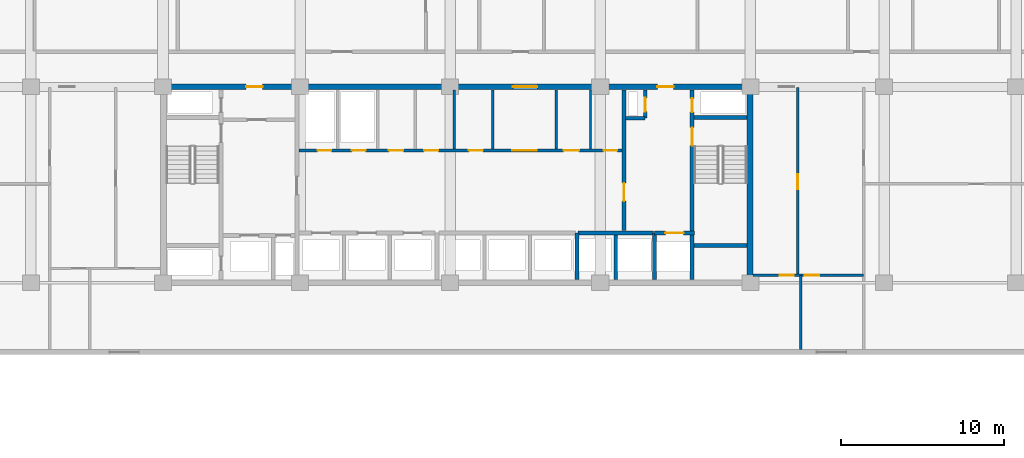
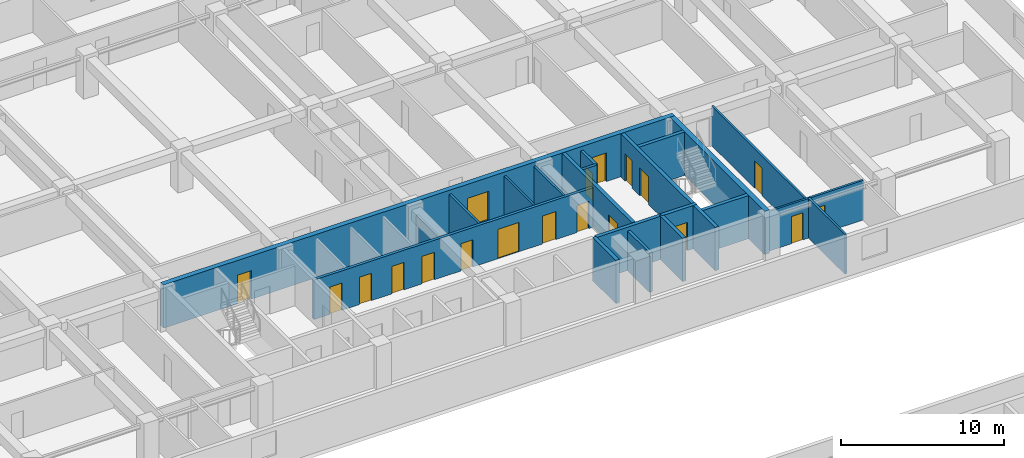
# One storey, part 12 of 23: 21 walls, 19 doors, 19 openings.
"""IFC4 building model written with IfcOpenShell, lengths in metres."""

from ifc_helpers import new_model, si_unit, direction, frame, frame_2d, origin, place, context, subcontext, project, spatial, rectangle, extrude, material, layer, layer_set, type_object, element, fill, save


model = new_model("IFC4")

# Units and contexts
model_context = context("Model", 3, precision=1e-05, world=origin(), true_north=direction((0.0, 1.0)))
body_context = subcontext(model_context, "Body", "Model", "MODEL_VIEW")
ifc_project = project(units=[si_unit("LENGTHUNIT", "METRE"), si_unit("AREAUNIT", "SQUARE_METRE"), si_unit("VOLUMEUNIT", "CUBIC_METRE"), si_unit("PLANEANGLEUNIT", "RADIAN"), si_unit("MASSUNIT", "GRAM", prefix="KILO")], contexts=[model_context])

# Site, building, storey
site_placement = place(None, origin())
site = spatial("IfcSite", under=ifc_project, at=site_placement, CompositionType="ELEMENT")
building_placement = place(site_placement, origin())
building = spatial("IfcBuilding", under=site, at=building_placement, Name="Korimba Cascade Residences", CompositionType="ELEMENT")
storey_placement = place(building_placement, frame((0.0, 0.0, 59.75)))
storey = spatial("IfcBuildingStorey", under=building, at=storey_placement, Name="L16", CompositionType="ELEMENT", Elevation=59.75)

# Wall
ifc_material_1 = material(Name="Concrete C65/80", Category="concrete")
ifc_layer_1 = layer(ifc_material_1, 0.35009765625)
ifc_layer_set_1 = layer_set([ifc_layer_1], Name="Concrete C65/80")
wall_type_1 = type_object("IfcWallType", Name="WAL-CORE-350", PredefinedType="SHEAR", material=ifc_layer_set_1)
wall_1_placement = place(storey_placement, frame((112.074951171875, 55.375, 0.0), z_axis=(0.0, 0.0, 1.0), x_axis=(0.0, 1.0, 0.0)))
element("IfcWall", 1, at=wall_1_placement, inside=storey, type_object=wall_type_1, Name="L16 Core Shear Wall CW-L16-T1-E", PredefinedType="SHEAR", context=body_context, shape_type="SweptSolid", body=[
    extrude(rectangle(XDim=11.64990234375, YDim=0.35009765625, at=frame_2d((5.824951171875, 0.0))), origin(), (0.0, 0.0, 1.0), 3.25),
])

# Wall, openings, doors
wall_2_placement = place(storey_placement, frame((75.949951171875, 67.199951171875, 0.0), z_axis=(0.0, 0.0, 1.0), x_axis=(1.0, 0.0, 0.0)))
wall_2 = element("IfcWall", 2, at=wall_2_placement, inside=storey, type_object=wall_type_1, Name="L16 Core Shear Wall CW-L16-T1-N", PredefinedType="SHEAR", context=body_context, shape_type="SweptSolid", body=[
    extrude(rectangle(XDim=36.300048828125, YDim=0.35009765625, at=frame_2d((18.14990234375, 0.0))), origin(), (0.0, 0.0, 1.0), 3.25),
])
opening_1_placement = place(wall_2_placement, frame((5.25, 0.0, 0.0)))
opening_1 = element("IfcOpeningElement", 3, at=opening_1_placement, cuts=wall_2, Name="Opening D-FD5", PredefinedType="OPENING", context=body_context, shape_type="SweptSolid", body=[
    extrude(rectangle(XDim=1.0, YDim=2.14990234375, at=frame_2d((0.5, 1.074951171875))), frame((0.0, 0.18505859375, 0.0), z_axis=(0.0, -1.0, 0.0), x_axis=(1.0, 0.0, 0.0)), (0.0, 0.0, 1.0), 0.3701171875),
])
opening_2_placement = place(wall_2_placement, frame((21.60009765625, 0.0, 0.0)))
opening_2 = element("IfcOpeningElement", 4, at=opening_2_placement, cuts=wall_2, Name="Opening D-FD8", PredefinedType="OPENING", context=body_context, shape_type="SweptSolid", body=[
    extrude(rectangle(XDim=1.5, YDim=2.199951171875, at=frame_2d((0.75, 1.10009765625))), frame((0.0, 0.18505859375, 0.0), z_axis=(0.0, -1.0, 0.0), x_axis=(1.0, 0.0, 0.0)), (0.0, 0.0, 1.0), 0.3701171875),
])
opening_3_placement = place(wall_2_placement, frame((30.449951171875, 0.0, 0.0)))
opening_3 = element("IfcOpeningElement", 5, at=opening_3_placement, cuts=wall_2, Name="Opening D-FD5", PredefinedType="OPENING", context=body_context, shape_type="SweptSolid", body=[
    extrude(rectangle(XDim=1.0, YDim=2.14990234375, at=frame_2d((0.5, 1.074951171875))), frame((0.0, 0.18505859375, 0.0), z_axis=(0.0, -1.0, 0.0), x_axis=(1.0, 0.0, 0.0)), (0.0, 0.0, 1.0), 0.3701171875),
])
ifc_material_2 = material(Name="Fire-Rated Acoustic Timber Vestibule Door", Category="wood")
door_type_1 = type_object("IfcDoorType", Name="DR-FD90-1000", OperationType="NOTDEFINED", PredefinedType="DOOR", material=ifc_material_2)
door_1_placement = place(opening_1_placement, origin())
door_1 = element("IfcDoor", 6, at=door_1_placement, inside=storey, type_object=door_type_1, Name="L16 T1 West Core Vestibule Fire Door", OperationType="SINGLE_SWING_LEFT", OverallHeight=2.14990234375, OverallWidth=1.0, PredefinedType="DOOR", context=body_context, shape_type="SweptSolid", body=[
    extrude(rectangle(XDim=1.0, YDim=2.14990234375, at=frame_2d((0.5, 1.074951171875))), frame((0.0, 0.02490234375, 0.0), z_axis=(0.0, -1.0, 0.0), x_axis=(1.0, 0.0, 0.0)), (0.0, 0.0, 1.0), 0.050048828125),
])
fill(opening_1, door_1)
door_2_placement = place(opening_3_placement, origin())
door_2 = element("IfcDoor", 7, at=door_2_placement, inside=storey, type_object=door_type_1, Name="L16 T1 East Firefighting Vestibule Fire Door", OperationType="SINGLE_SWING_RIGHT", OverallHeight=2.14990234375, OverallWidth=1.0, PredefinedType="DOOR", context=body_context, shape_type="SweptSolid", body=[
    extrude(rectangle(XDim=1.0, YDim=2.14990234375, at=frame_2d((0.5, 1.074951171875))), frame((0.0, 0.02490234375, 0.0), z_axis=(0.0, -1.0, 0.0), x_axis=(1.0, 0.0, 0.0)), (0.0, 0.0, 1.0), 0.050048828125),
])
fill(opening_3, door_2)
ifc_material_3 = material(Name="Fire-Rated Glazed Lift Lobby Double Door", Category="glass")
door_type_2 = type_object("IfcDoorType", Name="DR-FD90-1500", OperationType="NOTDEFINED", PredefinedType="DOOR", material=ifc_material_3)
door_3_placement = place(opening_2_placement, origin())
door_3 = element("IfcDoor", 8, at=door_3_placement, inside=storey, type_object=door_type_2, Name="L16 T1 Lift Lobby Fire Door", OperationType="DOUBLE_DOOR_SINGLE_SWING", OverallHeight=2.199951171875, OverallWidth=1.5, PredefinedType="DOOR", context=body_context, shape_type="SweptSolid", body=[
    extrude(rectangle(XDim=1.5, YDim=2.199951171875, at=frame_2d((0.75, 1.10009765625))), frame((0.0, 0.02490234375, 0.0), z_axis=(0.0, -1.0, 0.0), x_axis=(1.0, 0.0, 0.0)), (0.0, 0.0, 1.0), 0.050048828125),
])
fill(opening_2, door_3)

# Walls
ifc_material_4 = material(Name="Insulated Acoustic Stud Partition", Category="gypsum")
ifc_layer_2 = layer(ifc_material_4, 0.14990234375)
ifc_layer_set_2 = layer_set([ifc_layer_2], Name="Insulated Acoustic Stud Partition")
wall_type_2 = type_object("IfcWallType", Name="WAL-PART-150", PredefinedType="PARTITIONING", material=ifc_layer_set_2)
wall_3_placement = place(storey_placement, frame((93.949951171875, 63.39990234375, 0.0), z_axis=(0.0, 0.0, 1.0), x_axis=(0.0, 1.0, 0.0)))
element("IfcWall", 9, at=wall_3_placement, inside=storey, type_object=wall_type_2, Name="L16 Partition Wall CW-L16-T1-CA1W2", PredefinedType="PARTITIONING", context=body_context, shape_type="SweptSolid", body=[
    extrude(rectangle(XDim=3.60009765625, YDim=0.14990234375, at=frame_2d((1.800048828125, 0.0))), origin(), (0.0, 0.0, 1.0), 2.219970703125),
])
for number, where, z_axis, x_axis, name in (
    (10, (102.300048828125, 63.39990234375, 0.0), (0.0, 0.0, 1.0), (0.0, 1.0, 0.0), "L16 Partition Wall CW-L16-T1-CA1E1"),
    (11, (96.300048828125, 63.39990234375, 0.0), (0.0, 0.0, 1.0), (0.0, 1.0, 0.0), "L16 Partition Wall CW-L16-T1-THW"),
    (12, (100.199951171875, 63.39990234375, 0.0), (0.0, 0.0, 1.0), (0.0, 1.0, 0.0), "L16 Partition Wall CW-L16-T1-THE"),
):
    element("IfcWall", number, at=place(storey_placement, frame(where, z_axis=z_axis, x_axis=x_axis)), inside=storey, type_object=wall_type_2, Name=name, PredefinedType="PARTITIONING", context=body_context, shape_type="SweptSolid", body=[
        extrude(rectangle(XDim=3.60009765625, YDim=0.14990234375, at=frame_2d((1.800048828125, 0.0))), origin(), (0.0, 0.0, 1.0), 2.969970703125),
    ])

# Wall, opening, door
wall_4_placement = place(storey_placement, frame((115.0, 55.64990234375, 0.0), z_axis=(0.0, 0.0, 1.0), x_axis=(0.0, 1.0, 0.0)))
wall_4 = element("IfcWall", 13, at=wall_4_placement, inside=storey, type_object=wall_type_2, Name="L16 Partition Wall WAL-L16-T1-FE-VN", PredefinedType="PARTITIONING", context=body_context, shape_type="SweptSolid", body=[
    extrude(rectangle(XDim=11.5, YDim=0.14990234375, at=frame_2d((5.75, 0.0))), origin(), (0.0, 0.0, 1.0), 2.969970703125),
])
opening_4_placement = place(wall_4_placement, frame((5.2900390625, 0.0, 0.0)))
opening_4 = element("IfcOpeningElement", 14, at=opening_4_placement, cuts=wall_4, Name="Opening D-IN1", PredefinedType="OPENING", context=body_context, shape_type="SweptSolid", body=[
    extrude(rectangle(XDim=0.919921875, YDim=2.080078125, at=frame_2d((0.4599609375, 1.0400390625))), frame((0.0, 0.0849609375, 0.0), z_axis=(0.0, -1.0, 0.0), x_axis=(1.0, 0.0, 0.0)), (0.0, 0.0, 1.0), 0.169921875),
])
ifc_material_5 = material(Name="Acoustic Timber Living Door", Category="wood")
door_type_3 = type_object("IfcDoorType", Name="DR-INT-920", OperationType="NOTDEFINED", PredefinedType="DOOR", material=ifc_material_5)
door_4_placement = place(opening_4_placement, origin())
door_4 = element("IfcDoor", 15, at=door_4_placement, inside=storey, type_object=door_type_3, Name="L16-T1-FE Living Door", OperationType="SINGLE_SWING_RIGHT", OverallHeight=2.080078125, OverallWidth=0.919921875, PredefinedType="DOOR", context=body_context, shape_type="SweptSolid", body=[
    extrude(rectangle(XDim=0.919921875, YDim=2.080078125, at=frame_2d((0.4599609375, 1.0400390625))), frame((0.0, 0.02490234375, 0.0), z_axis=(0.0, -1.0, 0.0), x_axis=(1.0, 0.0, 0.0)), (0.0, 0.0, 1.0), 0.050048828125),
])
fill(opening_4, door_4)

# Wall
wall_5_placement = place(storey_placement, frame((115.199951171875, 51.10009765625, 0.0), z_axis=(0.0, 0.0, 1.0), x_axis=(0.0, 1.0, 0.0)))
element("IfcWall", 16, at=wall_5_placement, inside=storey, type_object=wall_type_2, Name="L16 Partition Wall WAL-L16-T1-FE-VS", PredefinedType="PARTITIONING", context=body_context, shape_type="SweptSolid", body=[
    extrude(rectangle(XDim=4.5498046875, YDim=0.14990234375, at=frame_2d((2.27490234375, 0.0))), origin(), (0.0, 0.0, 1.0), 2.969970703125),
])

# Wall, openings, doors
wall_6_placement = place(storey_placement, frame((112.27001953125, 55.64990234375, 0.0), z_axis=(0.0, 0.0, 1.0), x_axis=(1.0, 0.0, 0.0)))
wall_6 = element("IfcWall", 17, at=wall_6_placement, inside=storey, type_object=wall_type_2, Name="L16 Partition Wall WAL-L16-T1-FE-H", PredefinedType="PARTITIONING", context=body_context, shape_type="SweptSolid", body=[
    extrude(rectangle(XDim=6.760009765625, YDim=0.14990234375, at=frame_2d((3.3798828125, 0.0))), origin(), (0.0, 0.0, 1.0), 2.969970703125),
])
opening_5_placement = place(wall_6_placement, frame((1.6396484375, 0.0, 0.0)))
opening_5 = element("IfcOpeningElement", 18, at=opening_5_placement, cuts=wall_6, Name="Opening D-BT1", PredefinedType="OPENING", context=body_context, shape_type="SweptSolid", body=[
    extrude(rectangle(XDim=0.840087890625, YDim=2.0400390625, at=frame_2d((0.419921875, 1.02001953125))), frame((0.0, 0.0849609375, 0.0), z_axis=(0.0, -1.0, 0.0), x_axis=(1.0, 0.0, 0.0)), (0.0, 0.0, 1.0), 0.169921875),
])
opening_6_placement = place(wall_6_placement, frame((3.160400390625, 0.0, 0.0)))
opening_6 = element("IfcOpeningElement", 19, at=opening_6_placement, cuts=wall_6, Name="Opening D-IN2", PredefinedType="OPENING", context=body_context, shape_type="SweptSolid", body=[
    extrude(rectangle(XDim=0.8798828125, YDim=2.06005859375, at=frame_2d((0.43994140625, 1.030029296875))), frame((0.0, 0.0849609375, 0.0), z_axis=(0.0, -1.0, 0.0), x_axis=(1.0, 0.0, 0.0)), (0.0, 0.0, 1.0), 0.169921875),
])
ifc_material_6 = material(Name="Moisture-Resistant Bathroom Timber Door", Category="wood")
door_type_4 = type_object("IfcDoorType", Name="DR-INT-850", OperationType="NOTDEFINED", PredefinedType="DOOR", material=ifc_material_6)
door_5_placement = place(opening_5_placement, origin())
door_5 = element("IfcDoor", 20, at=door_5_placement, inside=storey, type_object=door_type_4, Name="L16-T1-FE Bathroom Door", OperationType="SINGLE_SWING_LEFT", OverallHeight=2.0400390625, OverallWidth=0.840087890625, PredefinedType="DOOR", context=body_context, shape_type="SweptSolid", body=[
    extrude(rectangle(XDim=0.840087890625, YDim=2.0400390625, at=frame_2d((0.419921875, 1.02001953125))), frame((0.0, 0.02490234375, 0.0), z_axis=(0.0, -1.0, 0.0), x_axis=(1.0, 0.0, 0.0)), (0.0, 0.0, 1.0), 0.050048828125),
])
fill(opening_5, door_5)
ifc_material_7 = material(Name="Acoustic Timber Bedroom Door", Category="wood")
door_type_5 = type_object("IfcDoorType", Name="DR-INT-880", OperationType="NOTDEFINED", PredefinedType="DOOR", material=ifc_material_7)
door_6_placement = place(opening_6_placement, origin())
door_6 = element("IfcDoor", 21, at=door_6_placement, inside=storey, type_object=door_type_5, Name="L16-T1-FE Bedroom Door", OperationType="SINGLE_SWING_RIGHT", OverallHeight=2.06005859375, OverallWidth=0.8798828125, PredefinedType="DOOR", context=body_context, shape_type="SweptSolid", body=[
    extrude(rectangle(XDim=0.8798828125, YDim=2.06005859375, at=frame_2d((0.43994140625, 1.030029296875))), frame((0.0, 0.02490234375, 0.0), z_axis=(0.0, -1.0, 0.0), x_axis=(1.0, 0.0, 0.0)), (0.0, 0.0, 1.0), 0.050048828125),
])
fill(opening_6, door_6)

# Wall
ifc_material_8 = material(Name="Concrete C40/50", Category="concrete")
ifc_layer_3 = layer(ifc_material_8, 0.199951171875)
ifc_layer_set_3 = layer_set([ifc_layer_3], Name="Concrete C40/50")
wall_type_3 = type_object("IfcWallType", Name="WAL-PART-200", PredefinedType="PARTITIONING", material=ifc_layer_set_3)
wall_7_placement = place(storey_placement, frame((103.85009765625, 55.39990234375, 0.0), z_axis=(0.0, 0.0, 1.0), x_axis=(0.0, 1.0, 0.0)))
element("IfcWall", 22, at=wall_7_placement, inside=storey, type_object=wall_type_3, Name="L16 Partition Wall CW-L16-T1-B3D1", PredefinedType="PARTITIONING", context=body_context, shape_type="SweptSolid", body=[
    extrude(rectangle(XDim=2.72021484375, YDim=0.199951171875, at=frame_2d((1.360107421875, 0.0))), origin(), (0.0, 0.0, 1.0), 2.969970703125),
])

# Wall, openings, doors
wall_8_placement = place(storey_placement, frame((84.419921875, 63.300048828125, 0.0), z_axis=(0.0, 0.0, 1.0), x_axis=(1.0, 0.0, 0.0)))
wall_8 = element("IfcWall", 23, at=wall_8_placement, inside=storey, type_object=wall_type_3, Name="L16 Partition Wall CW-L16-T1-SRVROW", PredefinedType="PARTITIONING", context=body_context, shape_type="SweptSolid", body=[
    extrude(rectangle(XDim=19.830078125, YDim=0.199951171875, at=frame_2d((9.9150390625, 0.0))), origin(), (0.0, 0.0, 1.0), 2.969970703125),
])
opening_7_placement = place(wall_8_placement, frame((1.14990234375, 0.0, 0.0)))
opening_7 = element("IfcOpeningElement", 24, at=opening_7_placement, cuts=wall_8, Name="Opening D-RS1", PredefinedType="OPENING", context=body_context, shape_type="SweptSolid", body=[
    extrude(rectangle(XDim=0.85009765625, YDim=2.050048828125, at=frame_2d((0.425048828125, 1.02490234375))), frame((0.0, 0.10986328125, 0.0), z_axis=(0.0, -1.0, 0.0), x_axis=(1.0, 0.0, 0.0)), (0.0, 0.0, 1.0), 0.219970703125),
])
opening_8_placement = place(wall_8_placement, frame((3.25, 0.0, 0.0)))
opening_8 = element("IfcOpeningElement", 25, at=opening_8_placement, cuts=wall_8, Name="Opening D-RS1", PredefinedType="OPENING", context=body_context, shape_type="SweptSolid", body=[
    extrude(rectangle(XDim=0.85009765625, YDim=2.050048828125, at=frame_2d((0.425048828125, 1.02490234375))), frame((0.0, 0.10986328125, 0.0), z_axis=(0.0, -1.0, 0.0), x_axis=(1.0, 0.0, 0.0)), (0.0, 0.0, 1.0), 0.219970703125),
])
opening_9_placement = place(wall_8_placement, frame((13.080078125, 0.0, 0.0)))
opening_9 = element("IfcOpeningElement", 26, at=opening_9_placement, cuts=wall_8, Name="Opening D-FD8", PredefinedType="OPENING", context=body_context, shape_type="SweptSolid", body=[
    extrude(rectangle(XDim=1.5, YDim=2.199951171875, at=frame_2d((0.75, 1.10009765625))), frame((0.0, 0.10986328125, 0.0), z_axis=(0.0, -1.0, 0.0), x_axis=(1.0, 0.0, 0.0)), (0.0, 0.0, 1.0), 0.219970703125),
])
opening_10_placement = place(wall_8_placement, frame((5.530029296875, 0.0, 0.0)))
opening_10 = element("IfcOpeningElement", 27, at=opening_10_placement, cuts=wall_8, Name="Opening D-IN2", PredefinedType="OPENING", context=body_context, shape_type="SweptSolid", body=[
    extrude(rectangle(XDim=0.8798828125, YDim=2.06005859375, at=frame_2d((0.43994140625, 1.030029296875))), frame((0.0, 0.10986328125, 0.0), z_axis=(0.0, -1.0, 0.0), x_axis=(1.0, 0.0, 0.0)), (0.0, 0.0, 1.0), 0.219970703125),
])
opening_11_placement = place(wall_8_placement, frame((7.679931640625, 0.0, 0.0)))
opening_11 = element("IfcOpeningElement", 28, at=opening_11_placement, cuts=wall_8, Name="Opening D-IN2", PredefinedType="OPENING", context=body_context, shape_type="SweptSolid", body=[
    extrude(rectangle(XDim=0.8798828125, YDim=2.06005859375, at=frame_2d((0.43994140625, 1.030029296875))), frame((0.0, 0.10986328125, 0.0), z_axis=(0.0, -1.0, 0.0), x_axis=(1.0, 0.0, 0.0)), (0.0, 0.0, 1.0), 0.219970703125),
])
opening_12_placement = place(wall_8_placement, frame((10.429931640625, 0.0, 0.0)))
opening_12 = element("IfcOpeningElement", 29, at=opening_12_placement, cuts=wall_8, Name="Opening D-RS1", PredefinedType="OPENING", context=body_context, shape_type="SweptSolid", body=[
    extrude(rectangle(XDim=0.85009765625, YDim=2.050048828125, at=frame_2d((0.425048828125, 1.02490234375))), frame((0.0, 0.10986328125, 0.0), z_axis=(0.0, -1.0, 0.0), x_axis=(1.0, 0.0, 0.0)), (0.0, 0.0, 1.0), 0.219970703125),
])
opening_13_placement = place(wall_8_placement, frame((16.22998046875, 0.0, 0.0)))
opening_13 = element("IfcOpeningElement", 30, at=opening_13_placement, cuts=wall_8, Name="Opening D-AC1", PredefinedType="OPENING", context=body_context, shape_type="SweptSolid", body=[
    extrude(rectangle(XDim=0.9599609375, YDim=2.10009765625, at=frame_2d((0.47998046875, 1.050048828125))), frame((0.0, 0.10986328125, 0.0), z_axis=(0.0, -1.0, 0.0), x_axis=(1.0, 0.0, 0.0)), (0.0, 0.0, 1.0), 0.219970703125),
])
opening_14_placement = place(wall_8_placement, frame((18.679931640625, 0.0, 0.0)))
opening_14 = element("IfcOpeningElement", 31, at=opening_14_placement, cuts=wall_8, Name="Opening D-BT1", PredefinedType="OPENING", context=body_context, shape_type="SweptSolid", body=[
    extrude(rectangle(XDim=0.840087890625, YDim=2.0400390625, at=frame_2d((0.419921875, 1.02001953125))), frame((0.0, 0.10986328125, 0.0), z_axis=(0.0, -1.0, 0.0), x_axis=(1.0, 0.0, 0.0)), (0.0, 0.0, 1.0), 0.219970703125),
])
ifc_material_9 = material(Name="Accessible Acoustic Timber WC Door", Category="wood")
door_type_6 = type_object("IfcDoorType", Name="DR-ACC-950", OperationType="NOTDEFINED", PredefinedType="DOOR", material=ifc_material_9)
door_7_placement = place(opening_13_placement, origin())
door_7 = element("IfcDoor", 32, at=door_7_placement, inside=storey, type_object=door_type_6, Name="L16 Accessible Staff WC Door", OperationType="SINGLE_SWING_RIGHT", OverallHeight=2.10009765625, OverallWidth=0.9599609375, PredefinedType="DOOR", context=body_context, shape_type="SweptSolid", body=[
    extrude(rectangle(XDim=0.9599609375, YDim=2.10009765625, at=frame_2d((0.47998046875, 1.050048828125))), frame((0.0, 0.02490234375, 0.0), z_axis=(0.0, -1.0, 0.0), x_axis=(1.0, 0.0, 0.0)), (0.0, 0.0, 1.0), 0.050048828125),
])
fill(opening_13, door_7)
ifc_material_10 = material(Name="Fire-Rated Steel Riser Access Door", Category="steel")
door_type_7 = type_object("IfcDoorType", Name="DR-FD60-850", OperationType="NOTDEFINED", PredefinedType="DOOR", material=ifc_material_10)
door_8_placement = place(opening_7_placement, origin())
door_8 = element("IfcDoor", 33, at=door_8_placement, inside=storey, type_object=door_type_7, Name="L16 Electrical Riser Door", OperationType="SINGLE_SWING_LEFT", OverallHeight=2.050048828125, OverallWidth=0.85009765625, PredefinedType="DOOR", context=body_context, shape_type="SweptSolid", body=[
    extrude(rectangle(XDim=0.85009765625, YDim=2.050048828125, at=frame_2d((0.425048828125, 1.02490234375))), frame((0.0, 0.02490234375, 0.0), z_axis=(0.0, -1.0, 0.0), x_axis=(1.0, 0.0, 0.0)), (0.0, 0.0, 1.0), 0.050048828125),
])
fill(opening_7, door_8)
door_9_placement = place(opening_8_placement, origin())
door_9 = element("IfcDoor", 34, at=door_9_placement, inside=storey, type_object=door_type_7, Name="L16 Plumbing Riser Door", OperationType="SINGLE_SWING_RIGHT", OverallHeight=2.050048828125, OverallWidth=0.85009765625, PredefinedType="DOOR", context=body_context, shape_type="SweptSolid", body=[
    extrude(rectangle(XDim=0.85009765625, YDim=2.050048828125, at=frame_2d((0.425048828125, 1.02490234375))), frame((0.0, 0.02490234375, 0.0), z_axis=(0.0, -1.0, 0.0), x_axis=(1.0, 0.0, 0.0)), (0.0, 0.0, 1.0), 0.050048828125),
])
fill(opening_8, door_9)
door_10_placement = place(opening_12_placement, origin())
door_10 = element("IfcDoor", 35, at=door_10_placement, inside=storey, type_object=door_type_7, Name="L16 IT Room Door", OperationType="SINGLE_SWING_LEFT", OverallHeight=2.050048828125, OverallWidth=0.85009765625, PredefinedType="DOOR", context=body_context, shape_type="SweptSolid", body=[
    extrude(rectangle(XDim=0.85009765625, YDim=2.050048828125, at=frame_2d((0.425048828125, 1.02490234375))), frame((0.0, 0.02490234375, 0.0), z_axis=(0.0, -1.0, 0.0), x_axis=(1.0, 0.0, 0.0)), (0.0, 0.0, 1.0), 0.050048828125),
])
fill(opening_12, door_10)
door_11_placement = place(opening_9_placement, origin())
door_11 = element("IfcDoor", 36, at=door_11_placement, inside=storey, type_object=door_type_2, Name="L16 Lift Lobby Foyer Archway Door", OperationType="DOUBLE_DOOR_SINGLE_SWING", OverallHeight=2.199951171875, OverallWidth=1.5, PredefinedType="DOOR", context=body_context, shape_type="SweptSolid", body=[
    extrude(rectangle(XDim=1.5, YDim=2.199951171875, at=frame_2d((0.75, 1.10009765625))), frame((0.0, 0.02490234375, 0.0), z_axis=(0.0, -1.0, 0.0), x_axis=(1.0, 0.0, 0.0)), (0.0, 0.0, 1.0), 0.050048828125),
])
fill(opening_9, door_11)
door_12_placement = place(opening_14_placement, origin())
door_12 = element("IfcDoor", 37, at=door_12_placement, inside=storey, type_object=door_type_4, Name="L16 Vending Room Door", OperationType="SINGLE_SWING_LEFT", OverallHeight=2.0400390625, OverallWidth=0.840087890625, PredefinedType="DOOR", context=body_context, shape_type="SweptSolid", body=[
    extrude(rectangle(XDim=0.840087890625, YDim=2.0400390625, at=frame_2d((0.419921875, 1.02001953125))), frame((0.0, 0.02490234375, 0.0), z_axis=(0.0, -1.0, 0.0), x_axis=(1.0, 0.0, 0.0)), (0.0, 0.0, 1.0), 0.050048828125),
])
fill(opening_14, door_12)
door_13_placement = place(opening_10_placement, origin())
door_13 = element("IfcDoor", 38, at=door_13_placement, inside=storey, type_object=door_type_5, Name="L16 Cleaners Door", OperationType="SINGLE_SWING_LEFT", OverallHeight=2.06005859375, OverallWidth=0.8798828125, PredefinedType="DOOR", context=body_context, shape_type="SweptSolid", body=[
    extrude(rectangle(XDim=0.8798828125, YDim=2.06005859375, at=frame_2d((0.43994140625, 1.030029296875))), frame((0.0, 0.02490234375, 0.0), z_axis=(0.0, -1.0, 0.0), x_axis=(1.0, 0.0, 0.0)), (0.0, 0.0, 1.0), 0.050048828125),
])
fill(opening_10, door_13)
door_14_placement = place(opening_11_placement, origin())
door_14 = element("IfcDoor", 39, at=door_14_placement, inside=storey, type_object=door_type_5, Name="L16 Pantry Door", OperationType="SINGLE_SWING_RIGHT", OverallHeight=2.06005859375, OverallWidth=0.8798828125, PredefinedType="DOOR", context=body_context, shape_type="SweptSolid", body=[
    extrude(rectangle(XDim=0.8798828125, YDim=2.06005859375, at=frame_2d((0.43994140625, 1.030029296875))), frame((0.0, 0.02490234375, 0.0), z_axis=(0.0, -1.0, 0.0), x_axis=(1.0, 0.0, 0.0)), (0.0, 0.0, 1.0), 0.050048828125),
])
fill(opening_11, door_14)

# Wall
wall_9_placement = place(storey_placement, frame((104.449951171875, 65.280029296875, 0.0), z_axis=(0.0, 0.0, 1.0), x_axis=(1.0, 0.0, 0.0)))
element("IfcWall", 40, at=wall_9_placement, inside=storey, type_object=wall_type_3, Name="L16 Partition Wall CW-L16-T1-HYDW2S", PredefinedType="PARTITIONING", context=body_context, shape_type="SweptSolid", body=[
    extrude(rectangle(XDim=1.199951171875, YDim=0.199951171875, at=frame_2d((0.60009765625, 0.0))), origin(), (0.0, 0.0, 1.0), 2.969970703125),
])

# Wall, opening, door
wall_10_placement = place(storey_placement, frame((105.64990234375, 65.280029296875, 0.0), z_axis=(0.0, 0.0, 1.0), x_axis=(0.0, 1.0, 0.0)))
wall_10 = element("IfcWall", 41, at=wall_10_placement, inside=storey, type_object=wall_type_3, Name="L16 Partition Wall CW-L16-T1-HYDW2E", PredefinedType="PARTITIONING", context=body_context, shape_type="SweptSolid", body=[
    extrude(rectangle(XDim=1.719970703125, YDim=0.199951171875, at=frame_2d((0.85986328125, 0.0))), origin(), (0.0, 0.0, 1.0), 2.969970703125),
])
opening_15_placement = place(wall_10_placement, frame((0.39990234375, 0.0, 0.0)))
opening_15 = element("IfcOpeningElement", 42, at=opening_15_placement, cuts=wall_10, Name="Opening D-RS1", PredefinedType="OPENING", context=body_context, shape_type="SweptSolid", body=[
    extrude(rectangle(XDim=0.85009765625, YDim=2.050048828125, at=frame_2d((0.425048828125, 1.02490234375))), frame((0.0, 0.10986328125, 0.0), z_axis=(0.0, -1.0, 0.0), x_axis=(1.0, 0.0, 0.0)), (0.0, 0.0, 1.0), 0.219970703125),
])
door_15_placement = place(opening_15_placement, origin())
door_15 = element("IfcDoor", 43, at=door_15_placement, inside=storey, type_object=door_type_7, Name="L16 East Hydrant Door", OperationType="SINGLE_SWING_RIGHT", OverallHeight=2.050048828125, OverallWidth=0.85009765625, PredefinedType="DOOR", context=body_context, shape_type="SweptSolid", body=[
    extrude(rectangle(XDim=0.85009765625, YDim=2.050048828125, at=frame_2d((0.425048828125, 1.02490234375))), frame((0.0, 0.02490234375, 0.0), z_axis=(0.0, -1.0, 0.0), x_axis=(1.0, 0.0, 0.0)), (0.0, 0.0, 1.0), 0.050048828125),
])
fill(opening_15, door_15)

# Walls
ifc_material_11 = material(Name="Concrete C50/60", Category="concrete")
ifc_layer_4 = layer(ifc_material_11, 0.25)
ifc_layer_set_4 = layer_set([ifc_layer_4], Name="Concrete C50/60")
wall_type_4 = type_object("IfcWallType", Name="WAL-SHAFT-250", PredefinedType="SHEAR", material=ifc_layer_set_4)
wall_11_placement = place(storey_placement, frame((101.47998046875, 55.39990234375, 0.0), z_axis=(0.0, 0.0, 1.0), x_axis=(0.0, 1.0, 0.0)))
element("IfcWall", 44, at=wall_11_placement, inside=storey, type_object=wall_type_4, Name="L16 Core Shear Wall CW-L16-T1-B23DIV", PredefinedType="SHEAR", context=body_context, shape_type="SweptSolid", body=[
    extrude(rectangle(XDim=2.85009765625, YDim=0.25, at=frame_2d((1.425048828125, 0.0))), origin(), (0.0, 0.0, 1.0), 3.25),
])
wall_12_placement = place(storey_placement, frame((101.550048828125, 58.25, 0.0), z_axis=(0.0, 0.0, 1.0), x_axis=(1.0, 0.0, 0.0)))
element("IfcWall", 45, at=wall_12_placement, inside=storey, type_object=wall_type_4, Name="L16 Core Shear Wall CW-L16-T1-B3N", PredefinedType="SHEAR", context=body_context, shape_type="SweptSolid", body=[
    extrude(rectangle(XDim=4.599853515625, YDim=0.25, at=frame_2d((2.2998046875, 0.0))), origin(), (0.0, 0.0, 1.0), 3.25),
])
wall_13_placement = place(storey_placement, frame((106.219970703125, 55.39990234375, 0.0), z_axis=(0.0, 0.0, 1.0), x_axis=(0.0, 1.0, 0.0)))
element("IfcWall", 46, at=wall_13_placement, inside=storey, type_object=wall_type_4, Name="L16 Core Shear Wall CW-L16-T1-FF2W", PredefinedType="SHEAR", context=body_context, shape_type="SweptSolid", body=[
    extrude(rectangle(XDim=2.85009765625, YDim=0.25, at=frame_2d((1.425048828125, 0.0))), origin(), (0.0, 0.0, 1.0), 3.25),
])

# Wall, opening, door
wall_14_placement = place(storey_placement, frame((106.219970703125, 58.25, 0.0), z_axis=(0.0, 0.0, 1.0), x_axis=(1.0, 0.0, 0.0)))
wall_14 = element("IfcWall", 47, at=wall_14_placement, inside=storey, type_object=wall_type_4, Name="L16 Core Shear Wall CW-L16-T1-FF2N", PredefinedType="SHEAR", context=body_context, shape_type="SweptSolid", body=[
    extrude(rectangle(XDim=2.4599609375, YDim=0.25, at=frame_2d((1.22998046875, 0.0))), origin(), (0.0, 0.0, 1.0), 3.25),
])
opening_16_placement = place(wall_14_placement, frame((0.669921875, 0.0, 0.0)))
opening_16 = element("IfcOpeningElement", 48, at=opening_16_placement, cuts=wall_14, Name="Opening LD-01", PredefinedType="OPENING", context=body_context, shape_type="SweptSolid", body=[
    extrude(rectangle(XDim=1.1201171875, YDim=2.1201171875, at=frame_2d((0.56005859375, 1.06005859375))), frame((0.0, 0.135009765625, 0.0), z_axis=(0.0, -1.0, 0.0), x_axis=(1.0, 0.0, 0.0)), (0.0, 0.0, 1.0), 0.27001953125),
])
ifc_material_12 = material(Name="Stainless Steel Lift Landing Sliding Door", Category="steel")
door_type_8 = type_object("IfcDoorType", Name="DR-LIFT-1100", OperationType="NOTDEFINED", PredefinedType="DOOR", material=ifc_material_12)
door_16_placement = place(opening_16_placement, origin())
door_16 = element("IfcDoor", 49, at=door_16_placement, inside=storey, type_object=door_type_8, Name="L16 Firefighting Lift Landing Door FFL-W2", OperationType="SLIDING_TO_RIGHT", OverallHeight=2.1201171875, OverallWidth=1.1201171875, PredefinedType="DOOR", context=body_context, shape_type="SweptSolid", body=[
    extrude(rectangle(XDim=1.1201171875, YDim=2.1201171875, at=frame_2d((0.56005859375, 1.06005859375))), frame((0.0, 0.02490234375, 0.0), z_axis=(0.0, -1.0, 0.0), x_axis=(1.0, 0.0, 0.0)), (0.0, 0.0, 1.0), 0.050048828125),
])
fill(opening_16, door_16)

wall_15_placement = place(storey_placement, frame((104.35009765625, 58.39990234375, 0.0), z_axis=(0.0, 0.0, 1.0), x_axis=(0.0, 1.0, 0.0)))
wall_15 = element("IfcWall", 50, at=wall_15_placement, inside=storey, type_object=wall_type_4, Name="L16 Core Shear Wall CW-L16-T1-LLEV", PredefinedType="SHEAR", context=body_context, shape_type="SweptSolid", body=[
    extrude(rectangle(XDim=8.60009765625, YDim=0.25, at=frame_2d((4.300048828125, 0.0))), origin(), (0.0, 0.0, 1.0), 3.25),
])
opening_17_placement = place(wall_15_placement, frame((1.800048828125, 0.0, 0.0)))
opening_17 = element("IfcOpeningElement", 51, at=opening_17_placement, cuts=wall_15, Name="Opening D-FD1", PredefinedType="OPENING", context=body_context, shape_type="SweptSolid", body=[
    extrude(rectangle(XDim=1.10009765625, YDim=2.10009765625, at=frame_2d((0.550048828125, 1.050048828125))), frame((0.0, 0.135009765625, 0.0), z_axis=(0.0, -1.0, 0.0), x_axis=(1.0, 0.0, 0.0)), (0.0, 0.0, 1.0), 0.27001953125),
])
ifc_material_13 = material(Name="Fire-Rated Steel Core Door", Category="steel")
door_type_9 = type_object("IfcDoorType", Name="DR-FD120-1100", OperationType="NOTDEFINED", PredefinedType="DOOR", material=ifc_material_13)
door_17_placement = place(opening_17_placement, origin())
door_17 = element("IfcDoor", 52, at=door_17_placement, inside=storey, type_object=door_type_9, Name="L16 Lift Lobby to East Firefighting Lobby Door", OperationType="SINGLE_SWING_LEFT", OverallHeight=2.10009765625, OverallWidth=1.10009765625, PredefinedType="DOOR", context=body_context, shape_type="SweptSolid", body=[
    extrude(rectangle(XDim=1.10009765625, YDim=2.10009765625, at=frame_2d((0.550048828125, 1.050048828125))), frame((0.0, 0.02490234375, 0.0), z_axis=(0.0, -1.0, 0.0), x_axis=(1.0, 0.0, 0.0)), (0.0, 0.0, 1.0), 0.050048828125),
])
fill(opening_17, door_17)

# Wall, openings, doors
wall_16_placement = place(storey_placement, frame((108.534912109375, 55.39990234375, 0.0), z_axis=(0.0, 0.0, 1.0), x_axis=(0.0, 1.0, 0.0)))
wall_16 = element("IfcWall", 53, at=wall_16_placement, inside=storey, type_object=wall_type_4, Name="L16 Core Shear Wall CW-L16-T1-STW2W", PredefinedType="SHEAR", context=body_context, shape_type="SweptSolid", body=[
    extrude(rectangle(XDim=11.60009765625, YDim=0.25, at=frame_2d((5.800048828125, 0.0))), origin(), (0.0, 0.0, 1.0), 3.25),
])
opening_18_placement = place(wall_16_placement, frame((8.199951171875, 0.0, 0.0)))
opening_18 = element("IfcOpeningElement", 54, at=opening_18_placement, cuts=wall_16, Name="Opening D-FD1", PredefinedType="OPENING", context=body_context, shape_type="SweptSolid", body=[
    extrude(rectangle(XDim=1.10009765625, YDim=2.10009765625, at=frame_2d((0.550048828125, 1.050048828125))), frame((0.0, 0.135009765625, 0.0), z_axis=(0.0, -1.0, 0.0), x_axis=(1.0, 0.0, 0.0)), (0.0, 0.0, 1.0), 0.27001953125),
])
opening_19_placement = place(wall_16_placement, frame((10.25, 0.0, 0.0)))
opening_19 = element("IfcOpeningElement", 55, at=opening_19_placement, cuts=wall_16, Name="Opening D-RS1", PredefinedType="OPENING", context=body_context, shape_type="SweptSolid", body=[
    extrude(rectangle(XDim=0.85009765625, YDim=2.050048828125, at=frame_2d((0.425048828125, 1.02490234375))), frame((0.0, 0.135009765625, 0.0), z_axis=(0.0, -1.0, 0.0), x_axis=(1.0, 0.0, 0.0)), (0.0, 0.0, 1.0), 0.27001953125),
])
door_18_placement = place(opening_18_placement, origin())
door_18 = element("IfcDoor", 56, at=door_18_placement, inside=storey, type_object=door_type_9, Name="L16 Fire Stair ST-W2 Door", OperationType="SINGLE_SWING_RIGHT", OverallHeight=2.10009765625, OverallWidth=1.10009765625, PredefinedType="DOOR", context=body_context, shape_type="SweptSolid", body=[
    extrude(rectangle(XDim=1.10009765625, YDim=2.10009765625, at=frame_2d((0.550048828125, 1.050048828125))), frame((0.0, 0.02490234375, 0.0), z_axis=(0.0, -1.0, 0.0), x_axis=(1.0, 0.0, 0.0)), (0.0, 0.0, 1.0), 0.050048828125),
])
fill(opening_18, door_18)
door_19_placement = place(opening_19_placement, origin())
door_19 = element("IfcDoor", 57, at=door_19_placement, inside=storey, type_object=door_type_7, Name="L16 East Riser Door", OperationType="SINGLE_SWING_LEFT", OverallHeight=2.050048828125, OverallWidth=0.85009765625, PredefinedType="DOOR", context=body_context, shape_type="SweptSolid", body=[
    extrude(rectangle(XDim=0.85009765625, YDim=2.050048828125, at=frame_2d((0.425048828125, 1.02490234375))), frame((0.0, 0.02490234375, 0.0), z_axis=(0.0, -1.0, 0.0), x_axis=(1.0, 0.0, 0.0)), (0.0, 0.0, 1.0), 0.050048828125),
])
fill(opening_19, door_19)

# Walls
for number, where, z_axis, x_axis, name in (
    (58, (108.659912109375, 57.47509765625, 0.0), (0.0, 0.0, 1.0), (1.0, 0.0, 0.0), "L16 Core Shear Wall CW-L16-T1-STW2S"),
    (59, (108.659912109375, 65.324951171875, 0.0), (0.0, 0.0, 1.0), (1.0, 0.0, 0.0), "L16 Core Shear Wall CW-L16-T1-STW2N"),
):
    element("IfcWall", number, at=place(storey_placement, frame(where, z_axis=z_axis, x_axis=x_axis)), inside=storey, type_object=wall_type_4, Name=name, PredefinedType="SHEAR", context=body_context, shape_type="SweptSolid", body=[
        extrude(rectangle(XDim=3.239990234375, YDim=0.25, at=frame_2d((1.6201171875, 0.0))), origin(), (0.0, 0.0, 1.0), 3.25),
    ])

save(model, "model.ifc")
